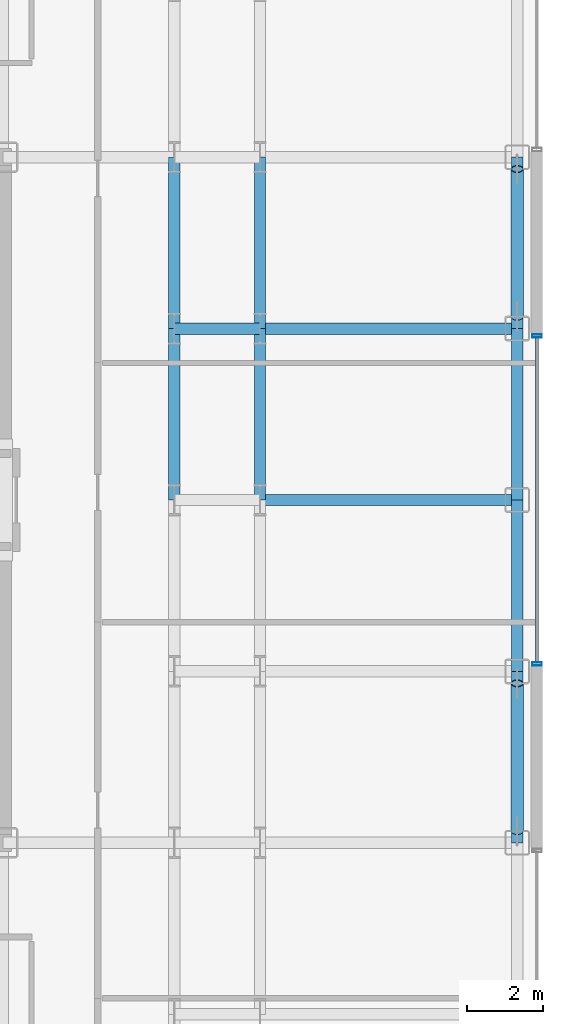
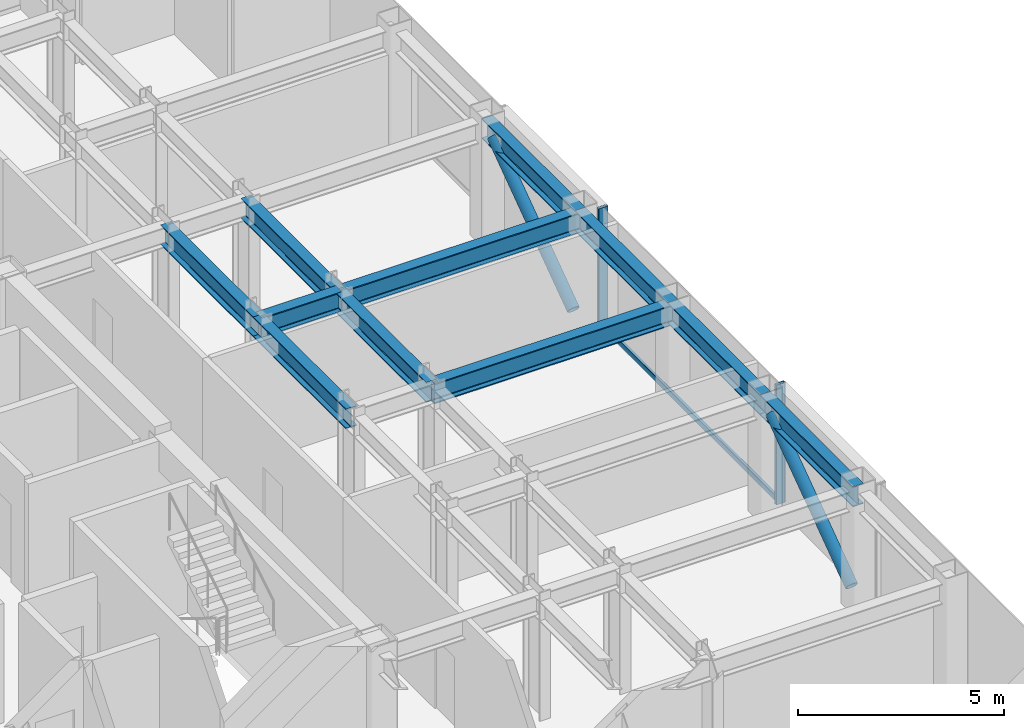
# One storey, part 8 of 22: 11 beams, 5 members, 1 element without a shape of its own.
"""IFC4 building model written with IfcOpenShell, lengths in metres."""

from ifc_helpers import new_model, si_unit, direction, frame, origin, origin_2d, place, context, subcontext, project, spatial, hollow_rectangle, hollow_circle, i_section, extrude, source, transform, mapped, material, layer, layer_set, material_profile, profile_set, type_object, element, aggregate, save


model = new_model("IFC4")

# Units and contexts
model_context = context("Model", 3, precision=1e-05, world=origin(), true_north=direction((0.0, 1.0)))
body_context = subcontext(model_context, "Body", "Model", "MODEL_VIEW")
ifc_project = project(units=[si_unit("LENGTHUNIT", "METRE"), si_unit("AREAUNIT", "SQUARE_METRE"), si_unit("VOLUMEUNIT", "CUBIC_METRE"), si_unit("PLANEANGLEUNIT", "RADIAN"), si_unit("MASSUNIT", "GRAM", prefix="KILO")], contexts=[model_context])

# Site, building, storey
site_placement = place(None, origin())
site = spatial("IfcSite", under=ifc_project, at=site_placement, CompositionType="ELEMENT")
building_placement = place(site_placement, origin())
building = spatial("IfcBuilding", under=site, at=building_placement, Name="Nefas-Gora Pilgrimage Tower", CompositionType="ELEMENT")
storey_placement = place(building_placement, frame((0.0, 0.0, 218.0)))
storey = spatial("IfcBuildingStorey", under=building, at=storey_placement, Name="L54", CompositionType="ELEMENT", Elevation=218.0)

# Beams
ifc_material_1 = material(Name="Steel S355", Category="steel")
ifc_material_profile_1 = material_profile(ifc_material_1, i_section(OverallWidth=0.300048828125, OverallDepth=0.60009765625, WebThickness=0.015380859375, FlangeThickness=0.030029296875, FilletRadius=0.027099609375, at=origin_2d()), Name="HEB 600")
ifc_profile_set_1 = profile_set([ifc_material_profile_1], Name="Steel S355")
beam_type_1 = type_object("IfcBeamType", Name="BM-SPN-HEB450", PredefinedType="SPANDREL", material=ifc_profile_set_1)
shared_shape_1 = source(origin(), body_context, "Body", "SweptSolid", [
    extrude(i_section(OverallWidth=0.300048828125, OverallDepth=0.60009765625, WebThickness=0.015380859375, FlangeThickness=0.030029296875, FilletRadius=0.027099609375, at=origin_2d()), origin(), (0.0, 0.0, 1.0), 4.5),
])
for number, where, z_axis, x_axis, name in (
    (1, (24.75, -9.0, 3.25), (0.0, 1.0, 0.0), (-1.0, 0.0, 0.0), "L54 SP-03 beam"),
    (2, (24.75, -4.5, 3.25), (0.0, 1.0, 0.0), (-1.0, 0.0, 0.0), "L54 SP-03 beam"),
    (3, (24.75, 0.0, 3.25), (0.0, 1.0, 0.0), (-1.0, 0.0, 0.0), "L54 SP-03 beam"),
    (4, (24.75, 4.5, 3.25), (0.0, 1.0, 0.0), (-1.0, 0.0, 0.0), "L54 SP-03 beam"),
):
    element("IfcBeam", number, at=place(storey_placement, frame(where, z_axis=z_axis, x_axis=x_axis)), inside=storey, type_object=beam_type_1, Name=name, PredefinedType="SPANDREL", context=body_context, shape_type="MappedRepresentation", body=[
        mapped(shared_shape_1, transform((0.0, 0.0, 0.0), x_axis=(1.0, 0.0, 0.0), y_axis=(0.0, 1.0, 0.0), z_axis=(0.0, 0.0, 1.0), scale=1.0)),
    ])
ifc_material_profile_2 = material_profile(ifc_material_1, i_section(OverallWidth=0.300048828125, OverallDepth=0.60009765625, WebThickness=0.015380859375, FlangeThickness=0.030029296875, FilletRadius=0.027099609375, at=origin_2d()), Name="HEB 600")
ifc_profile_set_2 = profile_set([ifc_material_profile_2], Name="Steel S355")
beam_type_2 = type_object("IfcBeamType", Name="BM-GIR-HEB600", PredefinedType="BEAM", material=ifc_profile_set_2)
shared_shape_2 = source(origin(), body_context, "Body", "SweptSolid", [
    extrude(i_section(OverallWidth=0.300048828125, OverallDepth=0.60009765625, WebThickness=0.015380859375, FlangeThickness=0.030029296875, FilletRadius=0.027099609375, at=origin_2d()), origin(), (0.0, 0.0, 1.0), 4.5),
])
for number, where, z_axis, x_axis, name in (
    (5, (15.75, 0.0, 3.25), (0.0, 1.0, 0.0), (-1.0, 0.0, 0.0), "L54 G-04 beam"),
    (6, (15.75, 4.5, 3.25), (0.0, 1.0, 0.0), (-1.0, 0.0, 0.0), "L54 G-04 beam"),
    (7, (18.0, 0.0, 3.25), (0.0, 1.0, 0.0), (-1.0, 0.0, 0.0), "L54 G-04 beam"),
    (8, (18.0, 4.5, 3.25), (0.0, 1.0, 0.0), (-1.0, 0.0, 0.0), "L54 G-04 beam"),
):
    element("IfcBeam", number, at=place(storey_placement, frame(where, z_axis=z_axis, x_axis=x_axis)), inside=storey, type_object=beam_type_2, Name=name, PredefinedType="BEAM", context=body_context, shape_type="MappedRepresentation", body=[
        mapped(shared_shape_2, transform((0.0, 0.0, 0.0), x_axis=(1.0, 0.0, 0.0), y_axis=(0.0, 1.0, 0.0), z_axis=(0.0, 0.0, 1.0), scale=1.0)),
    ])
shared_shape_3 = source(origin(), body_context, "Body", "SweptSolid", [
    extrude(i_section(OverallWidth=0.300048828125, OverallDepth=0.60009765625, WebThickness=0.015380859375, FlangeThickness=0.030029296875, FilletRadius=0.027099609375, at=origin_2d()), origin(), (0.0, 0.0, 1.0), 6.75),
])
for number, where, z_axis, x_axis, name in (
    (9, (18.0, 0.0, 3.25), (1.0, 0.0, 0.0), (0.0, 1.0, 0.0), "L54 G-04 beam"),
    (10, (18.0, 4.5, 3.25), (1.0, 0.0, 0.0), (0.0, 1.0, 0.0), "L54 G-04 beam"),
):
    element("IfcBeam", number, at=place(storey_placement, frame(where, z_axis=z_axis, x_axis=x_axis)), inside=storey, type_object=beam_type_2, Name=name, PredefinedType="BEAM", context=body_context, shape_type="MappedRepresentation", body=[
        mapped(shared_shape_3, transform((0.0, 0.0, 0.0), x_axis=(1.0, 0.0, 0.0), y_axis=(0.0, 1.0, 0.0), z_axis=(0.0, 0.0, 1.0), scale=1.0)),
    ])
shared_shape_4 = source(origin(), body_context, "Body", "SweptSolid", [
    extrude(i_section(OverallWidth=0.300048828125, OverallDepth=0.60009765625, WebThickness=0.015380859375, FlangeThickness=0.030029296875, FilletRadius=0.027099609375, at=origin_2d()), origin(), (0.0, 0.0, 1.0), 2.25),
])
beam_placement = place(storey_placement, frame((15.75, 4.5, 3.25), z_axis=(1.0, 0.0, 0.0), x_axis=(0.0, 1.0, 0.0)))
element("IfcBeam", 11, at=beam_placement, inside=storey, type_object=beam_type_2, Name="L54 G-04 beam", PredefinedType="BEAM", context=body_context, shape_type="MappedRepresentation", body=[
    mapped(shared_shape_4, transform((0.0, 0.0, 0.0), x_axis=(1.0, 0.0, 0.0), y_axis=(0.0, 1.0, 0.0), z_axis=(0.0, 0.0, 1.0), scale=1.0)),
])

# Members
ifc_material_profile_3 = material_profile(ifc_material_1, hollow_circle(Radius=0.161865234375, WallThickness=0.02001953125, at=origin_2d()), Name="CHS 323.9x20")
ifc_profile_set_3 = profile_set([ifc_material_profile_3], Name="Steel S355")
member_type_1 = type_object("IfcMemberType", Name="MEM-TUBE-324", PredefinedType="BRACE", material=ifc_profile_set_3)
shared_shape_5 = source(origin(), body_context, "Body", "SweptSolid", [
    extrude(hollow_circle(Radius=0.161865234375, WallThickness=0.02001953125, at=origin_2d()), origin(), (0.0, 0.0, 1.0), 4.763671875),
])
for number, where, z_axis, x_axis, name in (
    (12, (24.75, -8.68701171875, 0.3740234375), (0.0, 0.813255312614, 0.581907034246), (-1.0, 0.0, 0.0), "L54 Perimeter Tube Diagonal Brace E1"),
    (13, (24.75, 4.81298828125, 0.3740234375), (0.0, 0.813255312614, 0.581907034246), (-1.0, 0.0, 0.0), "L54 Perimeter Tube Diagonal Brace E2"),
):
    element("IfcMember", number, at=place(storey_placement, frame(where, z_axis=z_axis, x_axis=x_axis)), inside=storey, type_object=member_type_1, Name=name, PredefinedType="BRACE", context=body_context, shape_type="MappedRepresentation", body=[
        mapped(shared_shape_5, transform((0.0, 0.0, 0.0), x_axis=(1.0, 0.0, 0.0), y_axis=(0.0, 1.0, 0.0), z_axis=(0.0, 0.0, 1.0), scale=1.0)),
    ])

# Curtain wall, members
ifc_material_2 = material(Name="Dark ceramic-fritted solar-control aluminium-glass curtain wall", Category="aluminium")
ifc_layer = layer(ifc_material_2, 0.219970703125)
ifc_layer_set = layer_set([ifc_layer], Name="Dark ceramic-fritted solar-control aluminium-glass curtain wall")
curtain_wall_type = type_object("IfcCurtainWallType", Name="CW-SYS-3", PredefinedType="NOTDEFINED", material=ifc_layer_set)
curtain_wall_placement = place(storey_placement, origin())
curtain_wall = element("IfcCurtainWall", 14, at=curtain_wall_placement, inside=storey, type_object=curtain_wall_type, Name="L54 Unitised Curtain Wall CW3", PredefinedType="NOTDEFINED")
ifc_material_3 = material(Name="Anodised architectural aluminium", Category="aluminium")
ifc_material_profile_4 = material_profile(ifc_material_3, hollow_rectangle(XDim=0.090087890625, YDim=0.260009765625, WallThickness=0.006103515625, InnerFilletRadius=0.006103515625, OuterFilletRadius=0.011962890625, at=origin_2d()), Name="ALU MULLION 90x260")
ifc_profile_set_4 = profile_set([ifc_material_profile_4], Name="Anodised architectural aluminium")
member_type_2 = type_object("IfcMemberType", Name="CWM-MUL-3", PredefinedType="MULLION", material=ifc_profile_set_4)
shared_shape_6 = source(origin(), body_context, "Body", "SweptSolid", [
    extrude(hollow_rectangle(XDim=0.090087890625, YDim=0.260009765625, WallThickness=0.006103515625, InnerFilletRadius=0.006103515625, OuterFilletRadius=0.011962890625, at=origin_2d()), origin(), (0.0, 0.0, 1.0), 3.550048828125),
])
member_1_placement = place(storey_placement, frame((25.27001953125, -4.304931640625, 0.0), z_axis=(0.0, 0.0, 1.0), x_axis=(0.0, 1.0, 0.0)))
member_1 = element("IfcMember", 15, at=member_1_placement, type_object=member_type_2, Name="CW3 Mullion 1", PredefinedType="MULLION", context=body_context, shape_type="MappedRepresentation", body=[
    mapped(shared_shape_6, transform((0.0, 0.0, 0.0), x_axis=(1.0, 0.0, 0.0), y_axis=(0.0, 1.0, 0.0), z_axis=(0.0, 0.0, 1.0), scale=1.0)),
])
member_2_placement = place(storey_placement, frame((25.27001953125, 4.304931640625, 0.0), z_axis=(0.0, 0.0, 1.0), x_axis=(0.0, 1.0, 0.0)))
member_2 = element("IfcMember", 16, at=member_2_placement, type_object=member_type_2, Name="CW3 Mullion 2", PredefinedType="MULLION", context=body_context, shape_type="MappedRepresentation", body=[
    mapped(shared_shape_6, transform((0.0, 0.0, 0.0), x_axis=(1.0, 0.0, 0.0), y_axis=(0.0, 1.0, 0.0), z_axis=(0.0, 0.0, 1.0), scale=1.0)),
])
ifc_material_profile_5 = material_profile(ifc_material_3, hollow_rectangle(XDim=0.080078125, YDim=0.159912109375, WallThickness=0.00439453125, InnerFilletRadius=0.00439453125, OuterFilletRadius=0.009033203125, at=origin_2d()), Name="ALU TRANSOM 80x160")
ifc_profile_set_5 = profile_set([ifc_material_profile_5], Name="Anodised architectural aluminium")
member_type_3 = type_object("IfcMemberType", Name="CWM-TRN-3", PredefinedType="USERDEFINED", material=ifc_profile_set_5)
shared_shape_7 = source(origin(), body_context, "Body", "SweptSolid", [
    extrude(hollow_rectangle(XDim=0.080078125, YDim=0.159912109375, WallThickness=0.00439453125, InnerFilletRadius=0.00439453125, OuterFilletRadius=0.009033203125, at=origin_2d()), origin(), (0.0, 0.0, 1.0), 8.52001953125),
])
member_3_placement = place(storey_placement, frame((25.27001953125, -4.260009765625, 0.050048828125), z_axis=(0.0, 1.0, 0.0), x_axis=(-1.0, 0.0, 0.0)))
member_3 = element("IfcMember", 17, at=member_3_placement, type_object=member_type_3, Name="CW3 Spandrel Transom", ObjectType="TRANSOM", PredefinedType="USERDEFINED", context=body_context, shape_type="MappedRepresentation", body=[
    mapped(shared_shape_7, transform((0.0, 0.0, 0.0), x_axis=(1.0, 0.0, 0.0), y_axis=(0.0, 1.0, 0.0), z_axis=(0.0, 0.0, 1.0), scale=1.0)),
])
aggregate(curtain_wall, [member_1, member_2, member_3])

save(model, "model.ifc")
